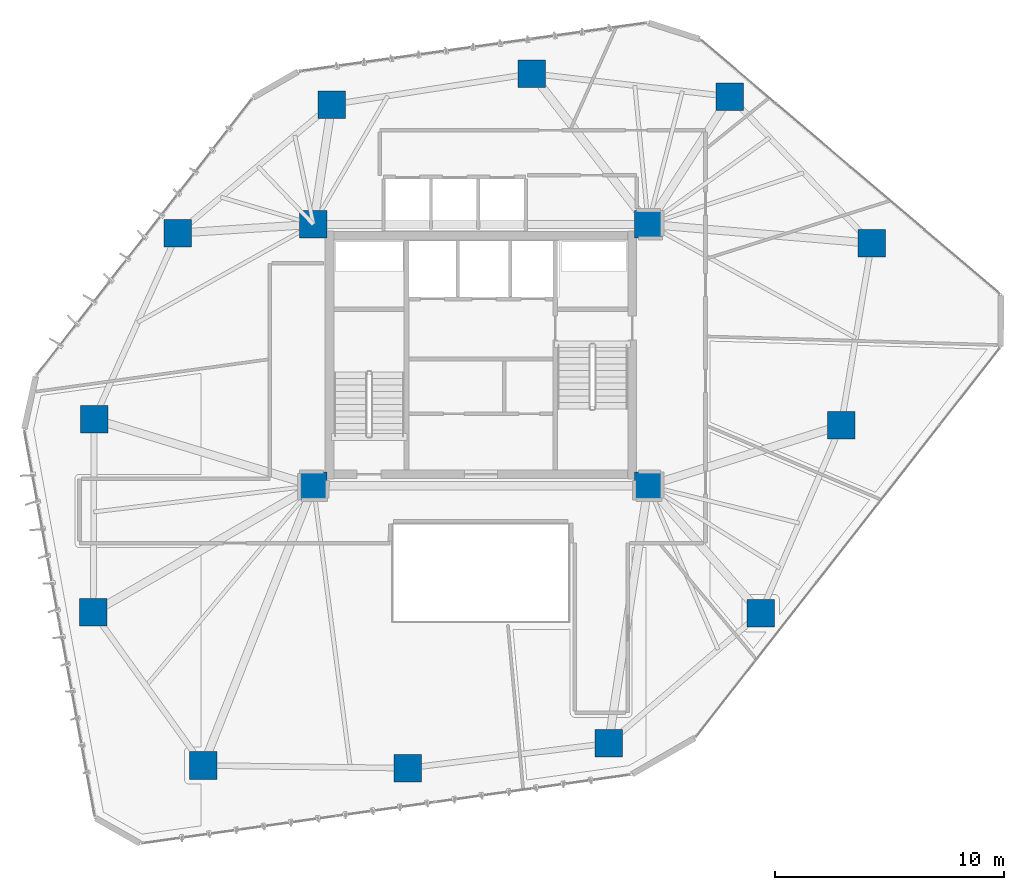
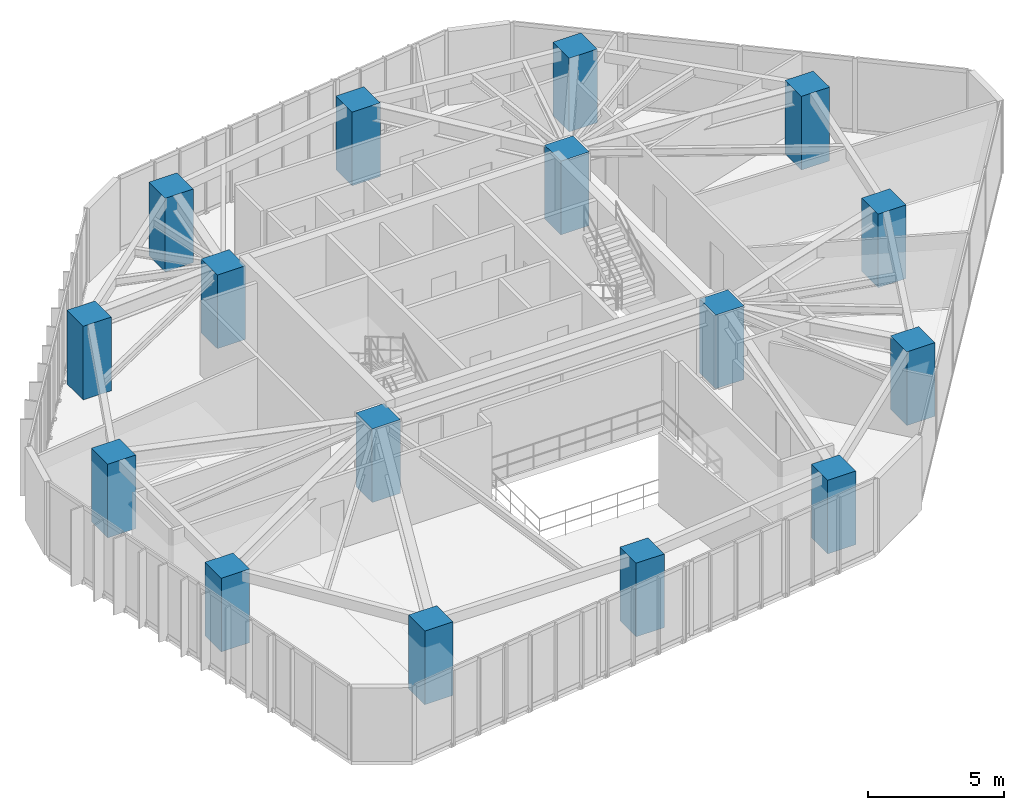
# One storey, part 1 of 24: 16 columns.
"""IFC4 building model written with IfcOpenShell, lengths in metres."""

from ifc_helpers import new_model, si_unit, direction, frame, origin, origin_2d, place, context, subcontext, project, spatial, rectangle, extrude, material, material_profile, profile_set, type_object, element, save


model = new_model("IFC4")

# Units and contexts
model_context = context("Model", 3, precision=1e-05, world=origin(), true_north=direction((0.0, 1.0)))
body_context = subcontext(model_context, "Body", "Model", "MODEL_VIEW")
ifc_project = project(units=[si_unit("LENGTHUNIT", "METRE"), si_unit("AREAUNIT", "SQUARE_METRE"), si_unit("VOLUMEUNIT", "CUBIC_METRE"), si_unit("PLANEANGLEUNIT", "RADIAN"), si_unit("MASSUNIT", "GRAM", prefix="KILO")], contexts=[model_context])

# Site, building, storey
site_placement = place(None, origin())
site = spatial("IfcSite", under=ifc_project, at=site_placement, CompositionType="ELEMENT")
building_placement = place(site_placement, origin())
building = spatial("IfcBuilding", under=site, at=building_placement, Name="Talar Marvaseh", CompositionType="ELEMENT")
storey_placement = place(building_placement, frame((0.0, 0.0, 114.60009765625)))
storey = spatial("IfcBuildingStorey", under=building, at=storey_placement, Name="L29", CompositionType="ELEMENT", Elevation=114.60009765625)

# Columns
ifc_material = material(Name="Concrete C60/75", Category="concrete")
ifc_material_profile = material_profile(ifc_material, rectangle(XDim=1.199951171875, YDim=1.199951171875, at=origin_2d()), Name="RC1200x1200")
ifc_profile_set = profile_set([ifc_material_profile], Name="Concrete C60/75")
column_type = type_object("IfcColumnType", Name="Zone 2 Tube Column RC1200x1200", PredefinedType="COLUMN", material=ifc_profile_set)
for number, where, z_axis, x_axis, name in (
    (1, (36.865966796875, 42.470947265625, 0.0), (0.0, 0.0, 1.0), (1.0, 0.0, 0.0), "L29 Zone 2 Tube Column RC1200x1200"),
    (2, (43.0439453125, 36.075927734375, 0.0), (0.0, 0.0, 1.0), (1.0, 0.0, 0.0), "L29 Zone 2 Tube Column RC1200x1200"),
    (3, (41.708984375, 28.1279296875, 0.0), (0.0, 0.0, 1.0), (1.0, 0.0, 0.0), "L29 Zone 2 Tube Column RC1200x1200"),
    (4, (38.2060546875, 19.94091796875, 0.0), (0.0, 0.0, 1.0), (1.0, 0.0, 0.0), "L29 Zone 2 Tube Column RC1200x1200"),
    (5, (31.570068359375, 14.26806640625, 0.0), (0.0, 0.0, 1.0), (1.0, 0.0, 0.0), "L29 Zone 2 Tube Column RC1200x1200"),
    (6, (22.804931640625, 13.18310546875, 0.0), (0.0, 0.0, 1.0), (1.0, 0.0, 0.0), "L29 Zone 2 Tube Column RC1200x1200"),
    (7, (13.89111328125, 13.299072265625, 0.0), (0.0, 0.0, 1.0), (1.0, 0.0, 0.0), "L29 Zone 2 Tube Column RC1200x1200"),
    (8, (9.10107421875, 19.97705078125, 0.0), (0.0, 0.0, 1.0), (1.0, 0.0, 0.0), "L29 Zone 2 Tube Column RC1200x1200"),
    (9, (9.137939453125, 28.402099609375, 0.0), (0.0, 0.0, 1.0), (1.0, 0.0, 0.0), "L29 Zone 2 Tube Column RC1200x1200"),
    (10, (12.780029296875, 36.51708984375, 0.0), (0.0, 0.0, 1.0), (1.0, 0.0, 0.0), "L29 Zone 2 Tube Column RC1200x1200"),
    (11, (19.5009765625, 42.123046875, 0.0), (0.0, 0.0, 1.0), (1.0, 0.0, 0.0), "L29 Zone 2 Tube Column RC1200x1200"),
    (12, (28.221923828125, 43.471923828125, 0.0), (0.0, 0.0, 1.0), (1.0, 0.0, 0.0), "L29 Zone 2 Tube Column RC1200x1200"),
    (13, (18.699951171875, 25.5, 0.0), (0.0, 0.0, 1.0), (1.0, 0.0, 0.0), "L29 Zone 2 Tube Column RC1200x1200"),
    (14, (33.300048828125, 25.5, 0.0), (0.0, 0.0, 1.0), (1.0, 0.0, 0.0), "L29 Zone 2 Tube Column RC1200x1200"),
    (15, (33.300048828125, 36.89990234375, 0.0), (0.0, 0.0, 1.0), (1.0, 0.0, 0.0), "L29 Zone 2 Tube Column RC1200x1200"),
    (16, (18.699951171875, 36.89990234375, 0.0), (0.0, 0.0, 1.0), (1.0, 0.0, 0.0), "L29 Zone 2 Tube Column RC1200x1200"),
):
    element("IfcColumn", number, at=place(storey_placement, frame(where, z_axis=z_axis, x_axis=x_axis)), inside=storey, type_object=column_type, Name=name, PredefinedType="COLUMN", context=body_context, shape_type="SweptSolid", body=[
        extrude(rectangle(XDim=1.199951171875, YDim=1.199951171875, at=origin_2d()), origin(), (0.0, 0.0, 1.0), 3.309814453125),
    ])

save(model, "model.ifc")
